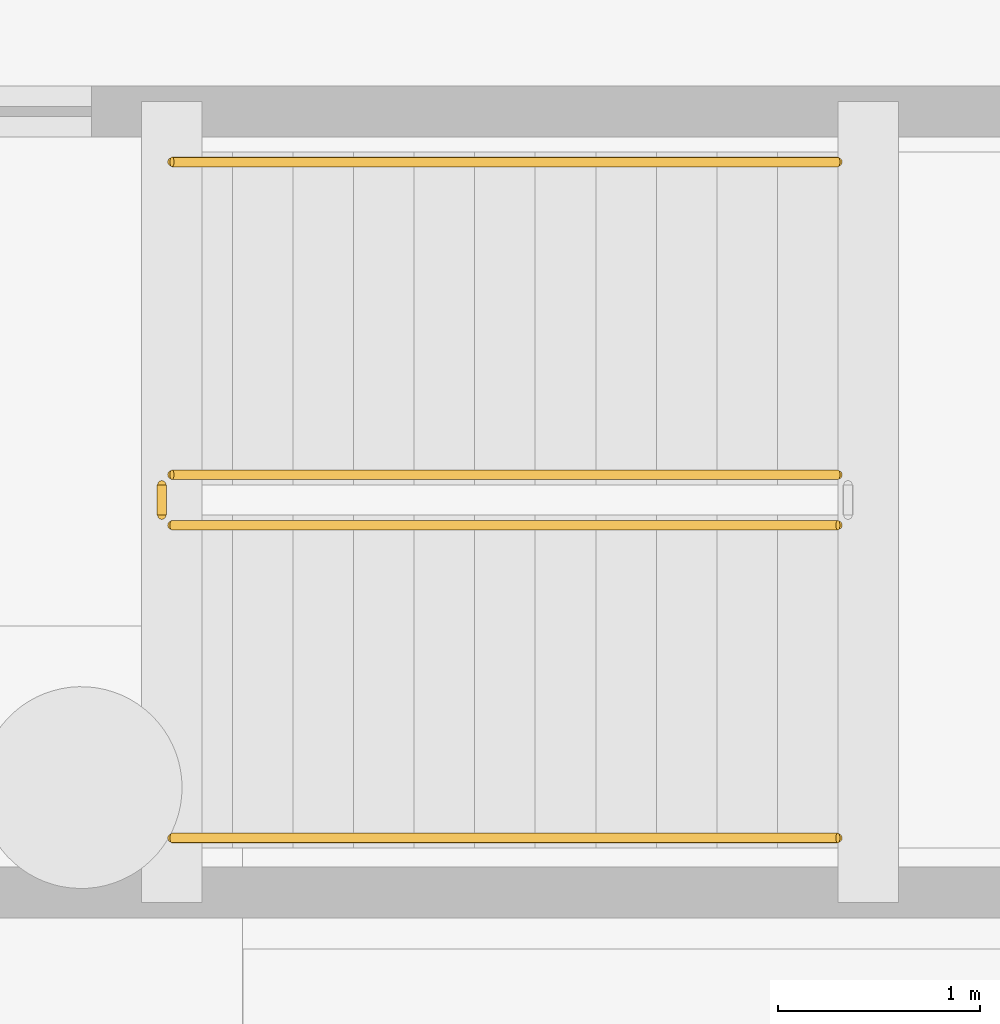
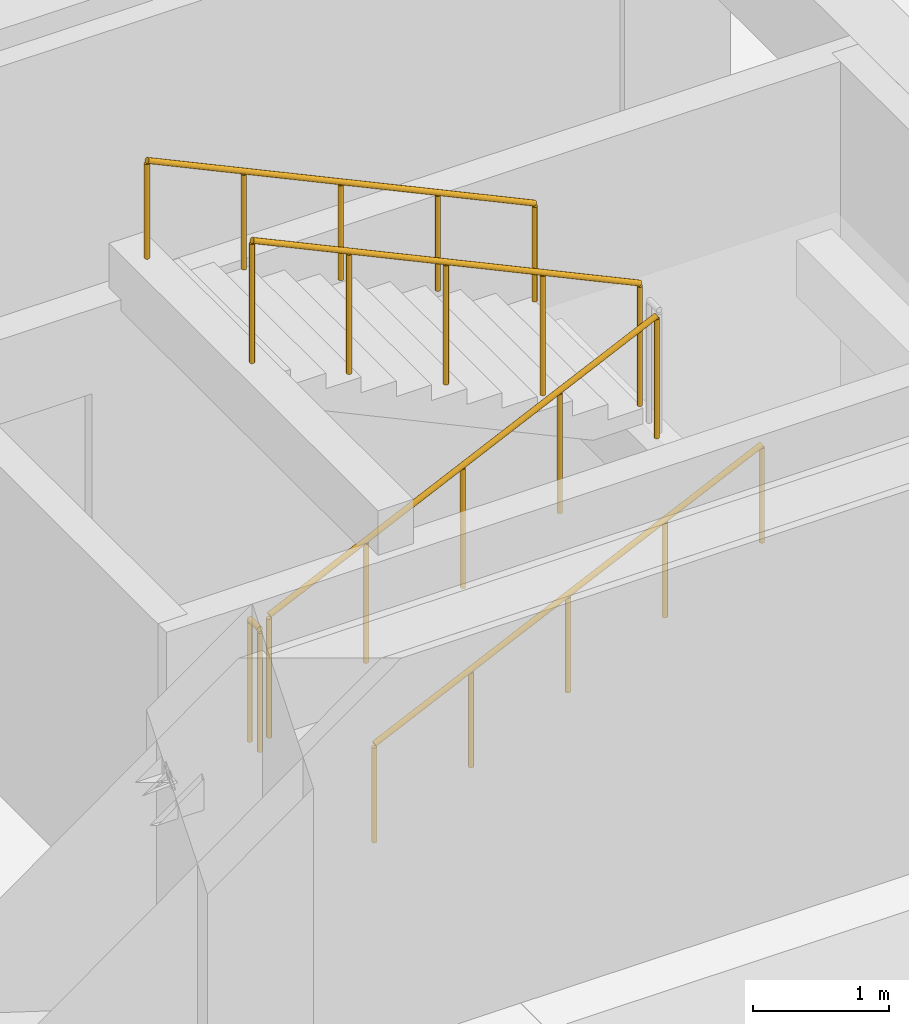
# One storey, part 56 of 70: 5 railings.
"""IFC4 building model written with IfcOpenShell, lengths in metres."""

from ifc_helpers import new_model, si_unit, direction, frame, origin, origin_2d, place, context, subcontext, project, spatial, circle, extrude, material, type_object, element, save


model = new_model("IFC4")

# Units and contexts
model_context = context("Model", 3, precision=1e-05, world=origin(), true_north=direction((0.0, 1.0)))
body_context = subcontext(model_context, "Body", "Model", "MODEL_VIEW")
ifc_project = project(units=[si_unit("LENGTHUNIT", "METRE"), si_unit("AREAUNIT", "SQUARE_METRE"), si_unit("VOLUMEUNIT", "CUBIC_METRE"), si_unit("PLANEANGLEUNIT", "RADIAN"), si_unit("MASSUNIT", "GRAM", prefix="KILO")], contexts=[model_context])

# Site, building, storey
site_placement = place(None, origin())
site = spatial("IfcSite", under=ifc_project, at=site_placement, CompositionType="ELEMENT")
building_placement = place(site_placement, origin())
building = spatial("IfcBuilding", under=site, at=building_placement, Name="Cumbredor Promenade Congress Hotel", CompositionType="ELEMENT")
storey_placement = place(building_placement, frame((0.0, 0.0, -7.56005859375)))
storey = spatial("IfcBuildingStorey", under=building, at=storey_placement, Name="B02", CompositionType="ELEMENT", Elevation=-7.56005859375)

# Railings
ifc_material = material(Name="Brushed stainless steel", Category="steel")
railing_type_1 = type_object("IfcRailingType", Name="Interior Void & Stair Guardrail GR-1100", PredefinedType="GUARDRAIL", material=ifc_material)
railing_1_placement = place(storey_placement, frame((60.75, 11.199951171875, 0.14013671875)))
element("IfcRailing", 1, at=railing_1_placement, inside=storey, type_object=railing_type_1, Name="B02 ST-05 stair guard 1", PredefinedType="GUARDRAIL", context=body_context, shape_type="SweptSolid", body=[
    extrude(circle(Radius=0.02392578125, at=origin_2d()), frame((0.0, 0.0, 1.09619140625), z_axis=(0.906181427284, 0.0, 0.422889135408), x_axis=(0.0, 1.0, 0.0)), (0.0, 0.0, 1.0), 3.6416015625),
    extrude(circle(Radius=0.02099609375, at=origin_2d()), origin(), (0.0, 0.0, 1.0), 1.072021484375),
    extrude(circle(Radius=0.02099609375, at=origin_2d()), frame((0.824951171875, 0.0, 0.385009765625)), (0.0, 0.0, 1.0), 1.072021484375),
    extrude(circle(Radius=0.02099609375, at=origin_2d()), frame((1.64990234375, 0.0, 0.77001953125)), (0.0, 0.0, 1.0), 1.072021484375),
    extrude(circle(Radius=0.02099609375, at=origin_2d()), frame((2.47509765625, 0.0, 1.155029296875)), (0.0, 0.0, 1.0), 1.072021484375),
    extrude(circle(Radius=0.02099609375, at=origin_2d()), frame((3.300048828125, 0.0, 1.5400390625)), (0.0, 0.0, 1.0), 1.072021484375),
])
railing_2_placement = place(storey_placement, frame((64.050048828125, 11.449951171875, 1.820068359375)))
element("IfcRailing", 2, at=railing_2_placement, inside=storey, type_object=railing_type_1, Name="B02 ST-05 stair guard 3", PredefinedType="GUARDRAIL", context=body_context, shape_type="SweptSolid", body=[
    extrude(circle(Radius=0.02392578125, at=origin_2d()), frame((0.0, 0.0, 1.09619140625), z_axis=(-0.906181427284, 0.0, 0.422889135408), x_axis=(0.0, -1.0, 0.0)), (0.0, 0.0, 1.0), 3.6416015625),
    extrude(circle(Radius=0.02099609375, at=origin_2d()), origin(), (0.0, 0.0, 1.0), 1.072021484375),
    extrude(circle(Radius=0.02099609375, at=origin_2d()), frame((-0.824951171875, 0.0, 0.385009765625)), (0.0, 0.0, 1.0), 1.072021484375),
    extrude(circle(Radius=0.02099609375, at=origin_2d()), frame((-1.64990234375, 0.0, 0.77001953125)), (0.0, 0.0, 1.0), 1.072021484375),
    extrude(circle(Radius=0.02099609375, at=origin_2d()), frame((-2.47509765625, 0.0, 1.155029296875)), (0.0, 0.0, 1.0), 1.072021484375),
    extrude(circle(Radius=0.02099609375, at=origin_2d()), frame((-3.300048828125, 0.0, 1.5400390625)), (0.0, 0.0, 1.0), 1.072021484375),
])
railing_3_placement = place(storey_placement, frame((60.699951171875, 11.25, 0.0)))
element("IfcRailing", 3, at=railing_3_placement, inside=storey, type_object=railing_type_1, Name="B02 ST-05 stair guard 4", PredefinedType="GUARDRAIL", context=body_context, shape_type="SweptSolid", body=[
    extrude(circle(Radius=0.02392578125, at=origin_2d()), frame((0.0, 0.0, 1.09619140625), z_axis=(0.0, 1.0, 0.0), x_axis=(-1.0, 0.0, 0.0)), (0.0, 0.0, 1.0), 0.14990234375),
    extrude(circle(Radius=0.02099609375, at=origin_2d()), origin(), (0.0, 0.0, 1.0), 1.072021484375),
    extrude(circle(Radius=0.02099609375, at=origin_2d()), frame((0.0, 0.14990234375, 0.0)), (0.0, 0.0, 1.0), 1.072021484375),
])
railing_type_2 = type_object("IfcRailingType", Name="Stair Pitch Handrail HR-900", PredefinedType="HANDRAIL", material=ifc_material)
railing_4_placement = place(storey_placement, frame((60.75, 9.64990234375, 0.14013671875)))
element("IfcRailing", 4, at=railing_4_placement, inside=storey, type_object=railing_type_2, Name="B02 ST-05 stair handrail 1", PredefinedType="HANDRAIL", context=body_context, shape_type="SweptSolid", body=[
    extrude(circle(Radius=0.02392578125, at=origin_2d()), frame((0.0, 0.0, 0.8759765625), z_axis=(0.906181427284, 0.0, 0.422889135408), x_axis=(0.0, 1.0, 0.0)), (0.0, 0.0, 1.0), 3.6416015625),
    extrude(circle(Radius=0.02099609375, at=origin_2d()), origin(), (0.0, 0.0, 1.0), 0.851806640625),
    extrude(circle(Radius=0.02099609375, at=origin_2d()), frame((0.824951171875, 0.0, 0.385009765625)), (0.0, 0.0, 1.0), 0.851806640625),
    extrude(circle(Radius=0.02099609375, at=origin_2d()), frame((1.64990234375, 0.0, 0.77001953125)), (0.0, 0.0, 1.0), 0.851806640625),
    extrude(circle(Radius=0.02099609375, at=origin_2d()), frame((2.47509765625, 0.0, 1.155029296875)), (0.0, 0.0, 1.0), 0.851806640625),
    extrude(circle(Radius=0.02099609375, at=origin_2d()), frame((3.300048828125, 0.0, 1.5400390625)), (0.0, 0.0, 1.0), 0.851806640625),
])
railing_5_placement = place(storey_placement, frame((64.050048828125, 13.0, 1.820068359375)))
element("IfcRailing", 5, at=railing_5_placement, inside=storey, type_object=railing_type_2, Name="B02 ST-05 stair handrail 2", PredefinedType="HANDRAIL", context=body_context, shape_type="SweptSolid", body=[
    extrude(circle(Radius=0.02392578125, at=origin_2d()), frame((0.0, 0.0, 0.8759765625), z_axis=(-0.906181427284, 0.0, 0.422889135408), x_axis=(0.0, -1.0, 0.0)), (0.0, 0.0, 1.0), 3.6416015625),
    extrude(circle(Radius=0.02099609375, at=origin_2d()), origin(), (0.0, 0.0, 1.0), 0.851806640625),
    extrude(circle(Radius=0.02099609375, at=origin_2d()), frame((-0.824951171875, 0.0, 0.385009765625)), (0.0, 0.0, 1.0), 0.851806640625),
    extrude(circle(Radius=0.02099609375, at=origin_2d()), frame((-1.64990234375, 0.0, 0.77001953125)), (0.0, 0.0, 1.0), 0.851806640625),
    extrude(circle(Radius=0.02099609375, at=origin_2d()), frame((-2.47509765625, 0.0, 1.155029296875)), (0.0, 0.0, 1.0), 0.851806640625),
    extrude(circle(Radius=0.02099609375, at=origin_2d()), frame((-3.300048828125, 0.0, 1.5400390625)), (0.0, 0.0, 1.0), 0.851806640625),
])

save(model, "model.ifc")
